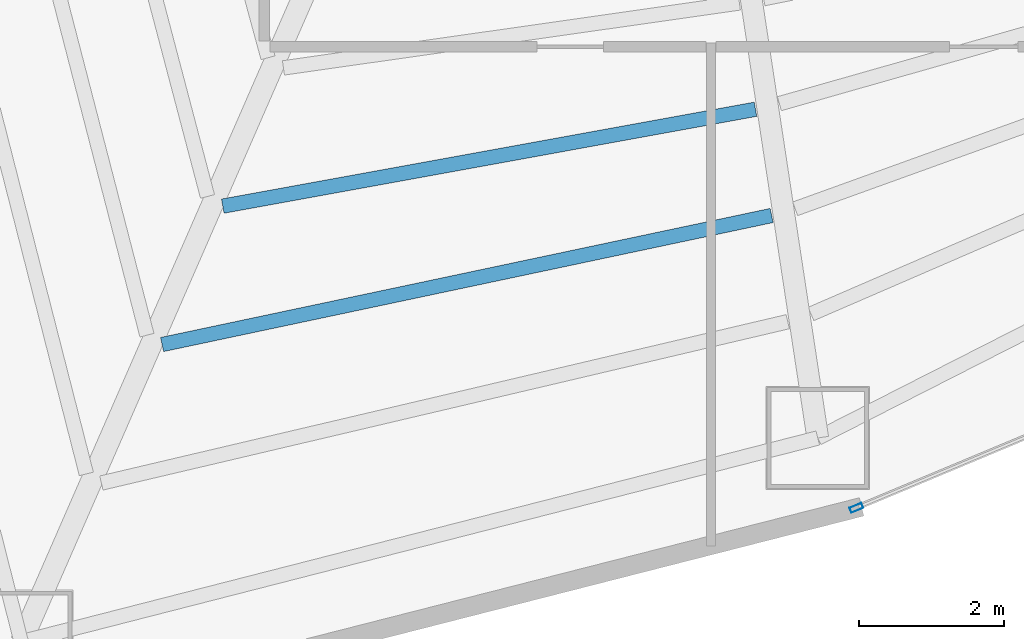
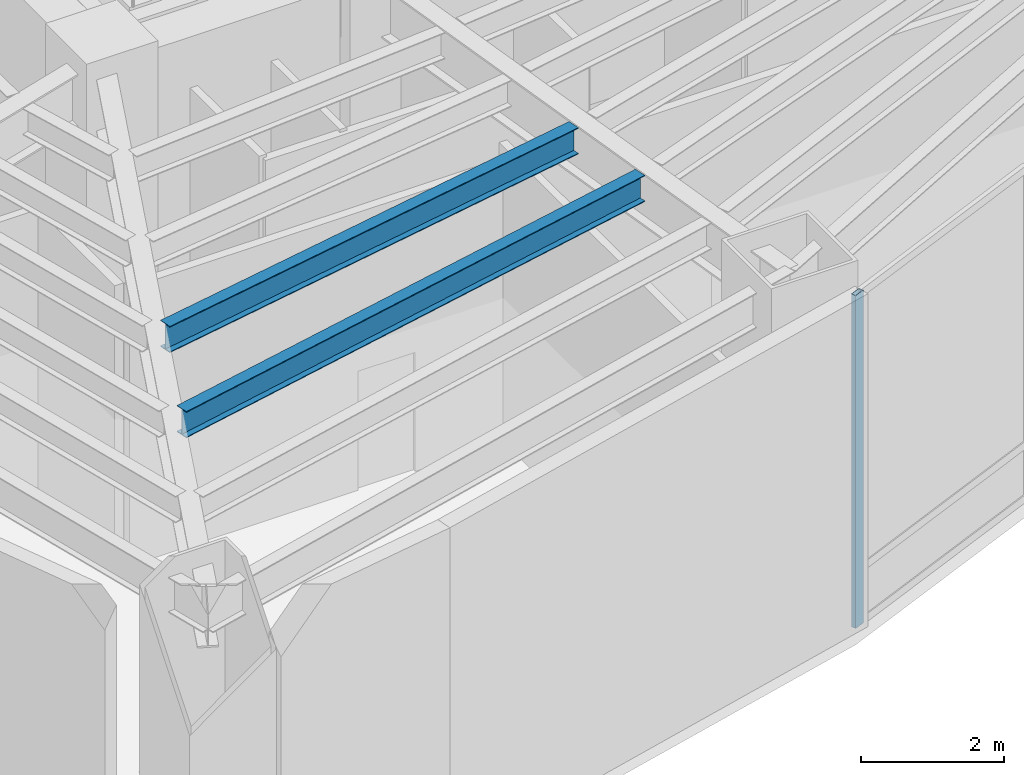
# One storey, part 2 of 19: 2 beams, 1 member, 1 element without a shape of its own.
"""IFC4 building model written with IfcOpenShell, lengths in metres."""

from ifc_helpers import new_model, si_unit, direction, frame, origin, origin_2d, place, context, subcontext, project, spatial, hollow_rectangle, i_section, extrude, material, layer, layer_set, material_profile, profile_set, type_object, element, aggregate, save


model = new_model("IFC4")

# Units and contexts
model_context = context("Model", 3, precision=1e-05, world=origin(), true_north=direction((0.0, 1.0)))
body_context = subcontext(model_context, "Body", "Model", "MODEL_VIEW")
ifc_project = project(units=[si_unit("LENGTHUNIT", "METRE"), si_unit("AREAUNIT", "SQUARE_METRE"), si_unit("VOLUMEUNIT", "CUBIC_METRE"), si_unit("PLANEANGLEUNIT", "RADIAN"), si_unit("MASSUNIT", "GRAM", prefix="KILO")], contexts=[model_context])

# Site, building, storey
site_placement = place(None, origin())
site = spatial("IfcSite", under=ifc_project, at=site_placement, CompositionType="ELEMENT")
building_placement = place(site_placement, origin())
building = spatial("IfcBuilding", under=site, at=building_placement, Name="Menara Vayukalpa", CompositionType="ELEMENT")
storey_placement = place(building_placement, frame((0.0, 0.0, 12.0)))
storey = spatial("IfcBuildingStorey", under=building, at=storey_placement, Name="L02", CompositionType="ELEMENT", Elevation=12.0)

# Beams
ifc_material_1 = material(Name="Steel S355", Category="steel")
ifc_material_profile_1 = material_profile(ifc_material_1, i_section(OverallWidth=0.199951171875, OverallDepth=0.449951171875, WebThickness=0.009033203125, FlangeThickness=0.013916015625, at=origin_2d()), Name="WF 450x200x9x14")
ifc_profile_set_1 = profile_set([ifc_material_profile_1], Name="Steel S355")
beam_type = type_object("IfcBeamType", Name="BM-SJ1", PredefinedType="JOIST", material=ifc_profile_set_1)
beam_1_placement = place(storey_placement, frame((15.247314453125, 11.00634765625, 5.455078125), z_axis=(0.98386051846, 0.178937084517, 0.0), x_axis=(-0.178937084517, 0.98386051846, 0.0)))
element("IfcBeam", 1, at=beam_1_placement, inside=storey, type_object=beam_type, Name="L02 Secondary Floor Joist SJ07-3", PredefinedType="JOIST", context=body_context, shape_type="SweptSolid", body=[
    extrude(i_section(OverallWidth=0.199951171875, OverallDepth=0.449951171875, WebThickness=0.009033203125, FlangeThickness=0.013916015625, at=origin_2d()), origin(), (0.0, 0.0, 1.0), 7.48779296875),
])
beam_2_placement = place(storey_placement, frame((14.408203125, 9.0927734375, 5.455078125), z_axis=(0.978324318859, 0.207078553039, 0.0), x_axis=(-0.207078553039, 0.978324318859, 0.0)))
element("IfcBeam", 2, at=beam_2_placement, inside=storey, type_object=beam_type, Name="L02 Secondary Floor Joist SJ07-4", PredefinedType="JOIST", context=body_context, shape_type="SweptSolid", body=[
    extrude(i_section(OverallWidth=0.199951171875, OverallDepth=0.449951171875, WebThickness=0.009033203125, FlangeThickness=0.013916015625, at=origin_2d()), origin(), (0.0, 0.0, 1.0), 8.615966796875),
])

# Curtain wall, member
ifc_material_2 = material(Name="Anodised Terracotta Aluminium Alloy 6063-T6", Category="masonry")
ifc_layer = layer(ifc_material_2, 0.179931640625)
ifc_layer_set = layer_set([ifc_layer], Name="Anodised Terracotta Aluminium Alloy 6063-T6")
curtain_wall_type = type_object("IfcCurtainWallType", Name="CW-CW1", PredefinedType="USERDEFINED", material=ifc_layer_set)
curtain_wall_placement = place(storey_placement, origin())
curtain_wall = element("IfcCurtainWall", 3, at=curtain_wall_placement, inside=storey, type_object=curtain_wall_type, Name="L02 Podium Unitised Ribbon Curtain Wall CW1 16", ObjectType="UNITISED", PredefinedType="USERDEFINED")
ifc_material_3 = material(Name="Anodised Terracotta Aluminium Alloy 6063-T6", Category="masonry")
ifc_material_profile_2 = material_profile(ifc_material_3, hollow_rectangle(XDim=0.074951171875, YDim=0.179931640625, WallThickness=0.00390625, at=origin_2d()), Name="ALU 75x180x4")
ifc_profile_set_2 = profile_set([ifc_material_profile_2], Name="Anodised Terracotta Aluminium Alloy 6063-T6")
member_type = type_object("IfcMemberType", Name="CWM-CW1", PredefinedType="MULLION", material=ifc_profile_set_2)
member_placement = place(storey_placement, frame((24.00927734375, 6.83447265625, 0.0), z_axis=(0.0, 0.0, 1.0), x_axis=(-0.385890613077, 0.922544543499, 0.0)))
member = element("IfcMember", 4, at=member_placement, type_object=member_type, Name="CW1 mullion 1", PredefinedType="MULLION", context=body_context, shape_type="SweptSolid", body=[
    extrude(hollow_rectangle(XDim=0.074951171875, YDim=0.179931640625, WallThickness=0.00390625, at=origin_2d()), origin(), (0.0, 0.0, 1.0), 5.679931640625),
])
aggregate(curtain_wall, [member])

save(model, "model.ifc")
